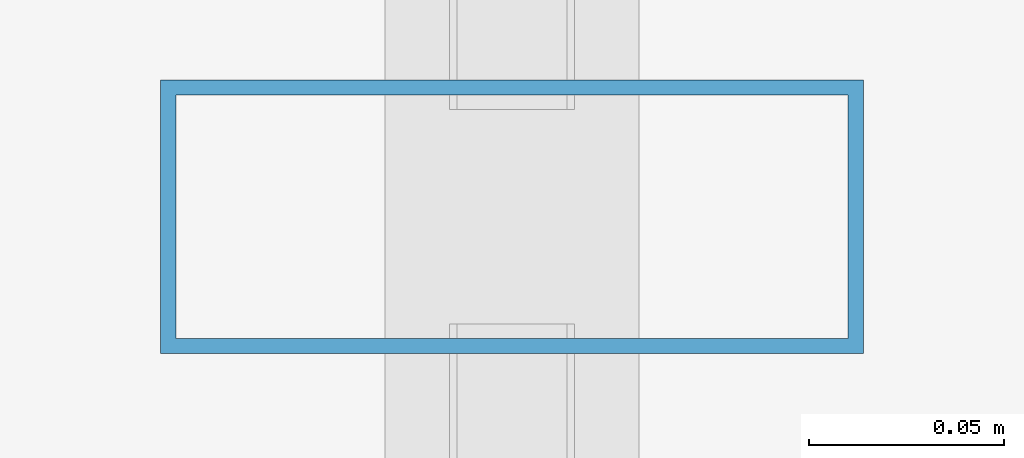
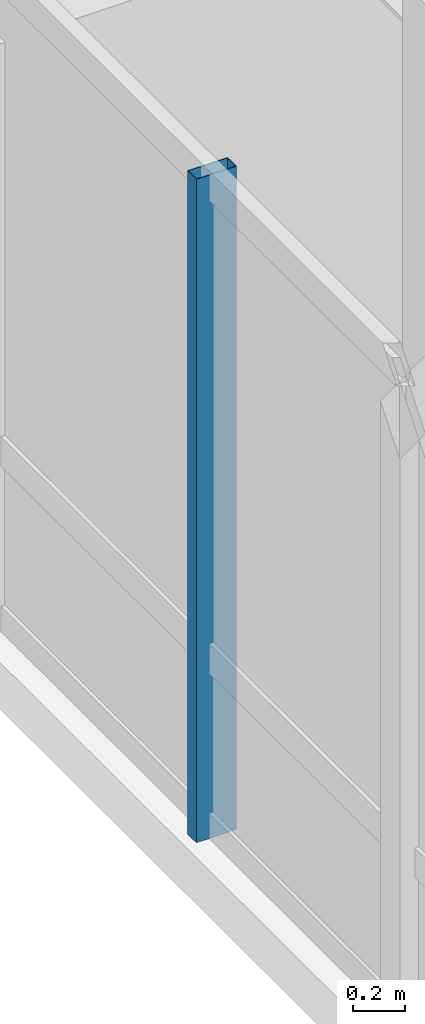
# One storey, part 12 of 33: 1 member, 1 element without a shape of its own.
"""IFC4 building model written with IfcOpenShell, lengths in metres."""

from ifc_helpers import new_model, si_unit, direction, frame, origin, origin_2d, place, context, subcontext, project, spatial, hollow_rectangle, extrude, material, layer, layer_set, material_profile, profile_set, type_object, element, aggregate, save


model = new_model("IFC4")

# Units and contexts
model_context = context("Model", 3, precision=1e-05, world=origin(), true_north=direction((0.0, 1.0)))
body_context = subcontext(model_context, "Body", "Model", "MODEL_VIEW")
ifc_project = project(units=[si_unit("LENGTHUNIT", "METRE"), si_unit("AREAUNIT", "SQUARE_METRE"), si_unit("VOLUMEUNIT", "CUBIC_METRE"), si_unit("PLANEANGLEUNIT", "RADIAN"), si_unit("MASSUNIT", "GRAM", prefix="KILO")], contexts=[model_context])

# Site, building, storey
site_placement = place(None, origin())
site = spatial("IfcSite", under=ifc_project, at=site_placement, CompositionType="ELEMENT")
building_placement = place(site_placement, origin())
building = spatial("IfcBuilding", under=site, at=building_placement, Name="Hatsunagi Terrace Concourse", CompositionType="ELEMENT")
storey_placement = place(building_placement, frame((0.0, 0.0, 43.300048828125)))
storey = spatial("IfcBuildingStorey", under=building, at=storey_placement, Name="L10", CompositionType="ELEMENT", Elevation=43.300048828125)

# Curtain wall, member
ifc_material_1 = material(Name="Anodised Aluminium Alloy 6063-T5", Category="aluminium")
ifc_layer = layer(ifc_material_1, 0.199951171875)
ifc_layer_set = layer_set([ifc_layer], Name="HotelFacade_CW02")
curtain_wall_type = type_object("IfcCurtainWallType", Name="HotelFacade_CW02", PredefinedType="NOTDEFINED", material=ifc_layer_set)
curtain_wall_placement = place(storey_placement, origin())
curtain_wall = element("IfcCurtainWall", 1, at=curtain_wall_placement, inside=storey, type_object=curtain_wall_type, Name="Unitised Curtain Wall CW-02 CW-L10-09", PredefinedType="NOTDEFINED")
ifc_material_2 = material(Name="Anodised Aluminium Alloy 6063-T5", Category="aluminium")
ifc_material_profile = material_profile(ifc_material_2, hollow_rectangle(XDim=0.070068359375, YDim=0.179931640625, WallThickness=0.00390625, at=origin_2d()), Name="ALU-MUL-180x70x4")
ifc_profile_set = profile_set([ifc_material_profile], Name="Anodised Aluminium Alloy 6063-T5")
member_type = type_object("IfcMemberType", Name="CurtainWallMullion_180x70", PredefinedType="MULLION", material=ifc_profile_set)
member_placement = place(storey_placement, frame((0.139892578125, 36.89990234375, 0.0), z_axis=(0.0, 0.0, 1.0), x_axis=(0.0, 1.0, 0.0)))
member = element("IfcMember", 2, at=member_placement, type_object=member_type, Name="Curtain Wall Mullion MUL-02", PredefinedType="MULLION", context=body_context, shape_type="SweptSolid", body=[
    extrude(hollow_rectangle(XDim=0.070068359375, YDim=0.179931640625, WallThickness=0.00390625, at=origin_2d()), origin(), (0.0, 0.0, 1.0), 3.1298828125),
])
aggregate(curtain_wall, [member])

save(model, "model.ifc")
